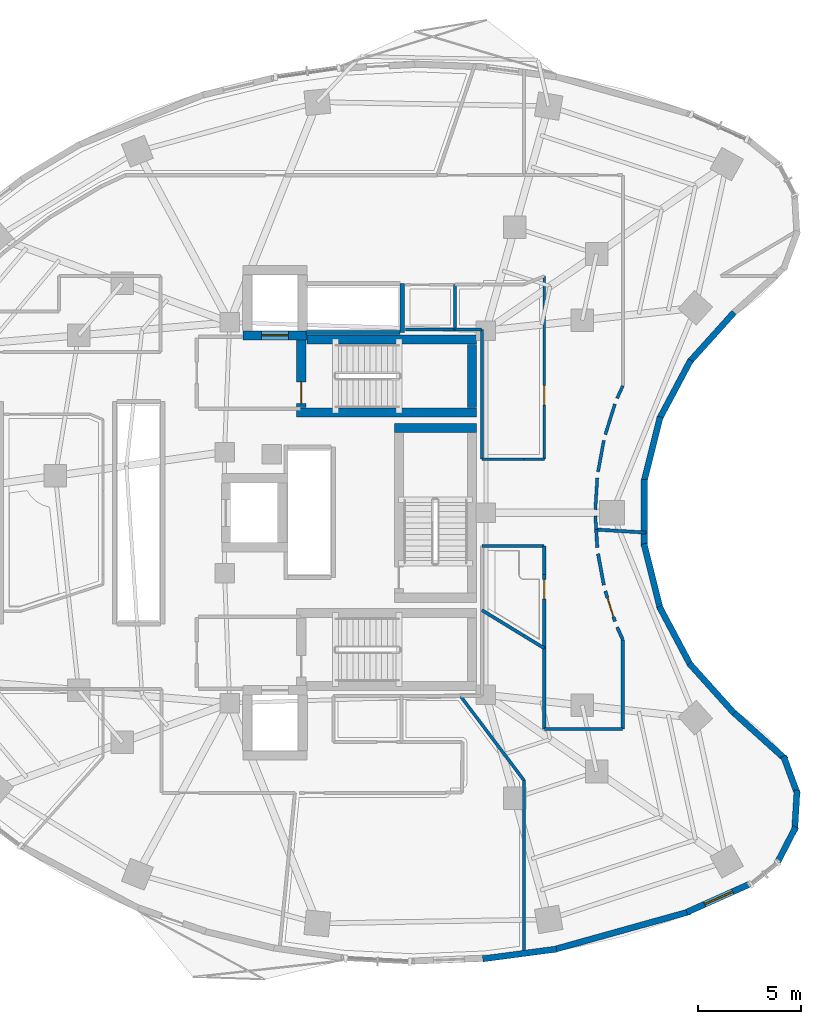
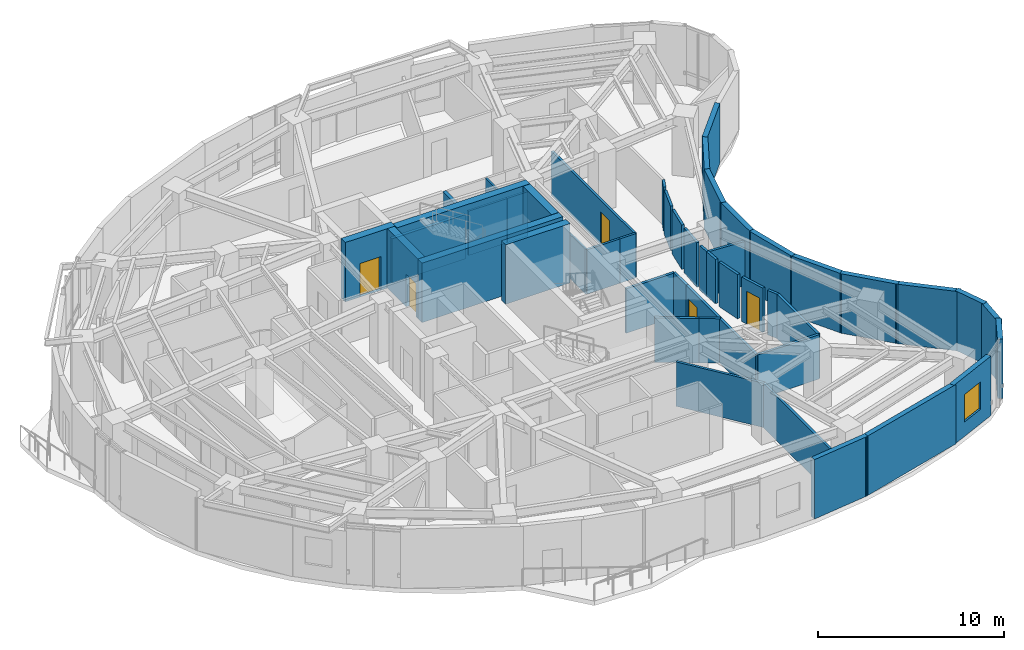
# One storey, part 10 of 15: 49 walls, 5 doors, 1 window, 6 openings.
"""IFC4 building model written with IfcOpenShell, lengths in metres."""

import ifcopenshell
import ifcopenshell.guid

model = None  # the IFC model being written
_history = None  # IfcOwnerHistory: only IFC2X3 demands one
_inside = {}  # id of a spatial element -> (the spatial element, [elements in it])
_under = {}  # id of a project, library or spatial element -> (it, [spatial elements below it])
_declared = {}  # id of a project -> (the project, [libraries it declares])
_typed = {}  # id of a type object -> (the type object, [elements of that type])
_made_of = {}  # id of a material, layer set ... -> (it, [elements and type objects made of it])


def new_model(schema):
    """Start an empty IFC model of exactly this schema.

    Asked for "IFC4X3", IfcOpenShell would pick the latest addendum, in which some entities
    have other attributes; the version numbers below select the first issue.
    IFC2X3 requires an IfcOwnerHistory on every rooted entity: one is made here for all.
    """
    global model, _history
    if schema == "IFC4X3":
        model = ifcopenshell.file(schema_version=(4, 3, 0, 0))
    else:
        model = ifcopenshell.file(schema=schema)
    _inside.clear()
    _under.clear()
    _declared.clear()
    _typed.clear()
    _made_of.clear()
    _history = None
    if model.schema == "IFC2X3":
        org = make("IfcOrganization", Name="unknown")
        user = make(
            "IfcPersonAndOrganization",
            ThePerson=make("IfcPerson", FamilyName="unknown"),
            TheOrganization=org,
        )
        app = make(
            "IfcApplication",
            ApplicationDeveloper=org,
            Version="unknown",
            ApplicationFullName="unknown",
            ApplicationIdentifier="unknown",
        )
        _history = make(
            "IfcOwnerHistory",
            OwningUser=user,
            OwningApplication=app,
            ChangeAction="ADDED",
            CreationDate=0,
        )
    return model


def make(cls, **values):
    """One entity of the class cls with the attributes given. An attribute that is None is left unset."""
    return model.create_entity(
        cls, **{name: value for name, value in values.items() if value is not None}
    )


def rooted(cls, **values):
    """An entity with a GlobalId (a new one), such as an element, a storey or a relation."""
    return make(cls, GlobalId=ifcopenshell.guid.new(), OwnerHistory=_history, **values)


def si_unit(unit_type, name, prefix=None):
    """IfcSIUnit, for example si_unit("LENGTHUNIT", "METRE", prefix="MILLI")."""
    return make("IfcSIUnit", UnitType=unit_type, Prefix=prefix, Name=name)


def assignment(units):
    """IfcUnitAssignment: the units of a project."""
    return None if units is None else make("IfcUnitAssignment", Units=units)


def point(xyz):
    """IfcCartesianPoint."""
    return None if xyz is None else make("IfcCartesianPoint", Coordinates=xyz)


def direction(xyz):
    """IfcDirection."""
    return None if xyz is None else make("IfcDirection", DirectionRatios=xyz)


def frame(location, z_axis=None, x_axis=None):
    """IfcAxis2Placement3D, a coordinate frame: its origin and axes. An axis left out is left unset."""
    return make(
        "IfcAxis2Placement3D",
        Location=point(location),
        Axis=direction(z_axis),
        RefDirection=direction(x_axis),
    )


def frame_2d(location, x_axis=None):
    """IfcAxis2Placement2D, a coordinate frame in the plane: its origin and x axis."""
    return make(
        "IfcAxis2Placement2D", Location=point(location), RefDirection=direction(x_axis)
    )


def origin():
    """The frame at (0, 0, 0) with its axes left unset."""
    return frame((0.0, 0.0, 0.0))


def place(relative_to, where):
    """IfcLocalPlacement: puts the frame where relative to a parent placement (None: the world)."""
    return make(
        "IfcLocalPlacement", PlacementRelTo=relative_to, RelativePlacement=where
    )


def context(
    kind, dimensions, precision=None, world=None, true_north=None, identifier=None
):
    """IfcGeometricRepresentationContext, for example the 3D "Model" context."""
    return make(
        "IfcGeometricRepresentationContext",
        ContextIdentifier=identifier,
        ContextType=kind,
        CoordinateSpaceDimension=dimensions,
        Precision=precision,
        WorldCoordinateSystem=world,
        TrueNorth=true_north,
    )


def subcontext(parent, identifier, kind, view, scale=None):
    """IfcGeometricRepresentationSubContext, for example "Body" below "Model"."""
    return make(
        "IfcGeometricRepresentationSubContext",
        ContextIdentifier=identifier,
        ContextType=kind,
        ParentContext=parent,
        TargetScale=scale,
        TargetView=view,
    )


def project(units=None, contexts=None):
    """IfcProject with its units and contexts."""
    return rooted(
        "IfcProject",
        Name="project",
        RepresentationContexts=contexts,
        UnitsInContext=assignment(units),
    )


def spatial(cls, under=None, at=None, **own):
    """A site, building, storey or space (cls), placed at a placement, below another one or the project."""
    s = rooted(cls, ObjectPlacement=at, **own)
    if under is not None:
        _under.setdefault(under.id(), (under, []))[1].append(s)
    return s


def profile(cls, at=None, kind="AREA", **sizes):
    """A parametric profile (cls). Its sizes go by their IFC names, for example OverallWidth=200.0."""
    return make(cls, ProfileType=kind, Position=at, **sizes)


def rectangle(**sizes):
    """IfcRectangleProfileDef."""
    return profile("IfcRectangleProfileDef", **sizes)


def extrude(swept, where, along, depth):
    """IfcExtrudedAreaSolid: the profile swept, set in the frame where, extruded along a direction by depth."""
    return make(
        "IfcExtrudedAreaSolid",
        SweptArea=swept,
        Position=where,
        ExtrudedDirection=direction(along),
        Depth=depth,
    )


def shape(context_of_items, identifier, shape_type, items):
    """IfcShapeRepresentation: the items that make up one representation, for example the "Body"."""
    return make(
        "IfcShapeRepresentation",
        ContextOfItems=context_of_items,
        RepresentationIdentifier=identifier,
        RepresentationType=shape_type,
        Items=items,
    )


def material(Name=None, Category=None):
    """IfcMaterial."""
    return make("IfcMaterial", Name=Name, Category=Category)


def layer(
    of_material, thickness, ventilated=None, Name=None, Category=None, Priority=None
):
    """IfcMaterialLayer: one layer of a wall or slab, of a material (None: an air gap)."""
    return make(
        "IfcMaterialLayer",
        Material=of_material,
        LayerThickness=thickness,
        IsVentilated=ventilated,
        Name=Name,
        Category=Category,
        Priority=Priority,
    )


def layer_set(layers, Name=None):
    """IfcMaterialLayerSet."""
    return make("IfcMaterialLayerSet", MaterialLayers=layers, LayerSetName=Name)


def made_of(thing, what):
    """Note that an element or type object is made of a material, layer set ...; save() writes the relation."""
    if what is not None:
        _made_of.setdefault(what.id(), (what, []))[1].append(thing)
    return thing


def type_object(cls, material=None, **own):
    """A type object (cls), such as IfcWallType, which elements share."""
    return made_of(rooted(cls, **own), material)


def element(
    cls,
    number,
    at=None,
    inside=None,
    cuts=None,
    type_object=None,
    material=None,
    context=None,
    identifier="Body",
    shape_type=None,
    held_by="IfcProductDefinitionShape",
    body=None,
    shapes=None,
    **own,
):
    """One element of the class cls, such as IfcWall. Its Tag is "e" and its number.

    at: its placement. inside: the storey or other place that contains it. cuts: it is an
    opening in that element (IfcRelVoidsElement). A single representation is given by context,
    identifier, shape_type and body (its items); several are given by shapes. held_by: the class
    of the entity that holds the representations. save() writes the other relations.
    """
    e = rooted(cls, Tag="e%d" % number, ObjectPlacement=at, **own)
    if body is not None:
        shapes = [shape(context, identifier, shape_type, body)]
    if shapes is not None:
        e.Representation = make(held_by, Representations=shapes)
    if inside is not None:
        _inside.setdefault(inside.id(), (inside, []))[1].append(e)
    if cuts is not None:
        rooted(
            "IfcRelVoidsElement", RelatingBuildingElement=cuts, RelatedOpeningElement=e
        )
    if type_object is not None:
        _typed.setdefault(type_object.id(), (type_object, []))[1].append(e)
    return made_of(e, material)


def fill(opening, filler):
    """IfcRelFillsElement: the door or window that sits in an opening."""
    return rooted(
        "IfcRelFillsElement",
        RelatingOpeningElement=opening,
        RelatedBuildingElement=filler,
    )


def aggregate(whole, parts):
    """IfcRelAggregates: a whole, such as a stair, and the parts it consists of."""
    return rooted("IfcRelAggregates", RelatingObject=whole, RelatedObjects=parts)


def save(model, path):
    """Write the relations noted so far, then the file.

    IfcRelAggregates (storeys below a building ...), IfcRelContainedInSpatialStructure (elements
    in a storey), IfcRelDefinesByType, IfcRelAssociatesMaterial and IfcRelDeclares: one each for
    every whole, place, type object, material and project.
    """
    for whole, parts in _under.values():
        aggregate(whole, parts)
    for where, things in _inside.values():
        rooted(
            "IfcRelContainedInSpatialStructure",
            RelatedElements=things,
            RelatingStructure=where,
        )
    for kind, things in _typed.values():
        rooted("IfcRelDefinesByType", RelatedObjects=things, RelatingType=kind)
    for what, things in _made_of.values():
        rooted("IfcRelAssociatesMaterial", RelatedObjects=things, RelatingMaterial=what)
    for by, libraries in _declared.values():
        rooted("IfcRelDeclares", RelatingContext=by, RelatedDefinitions=libraries)
    model.write(path)


model = new_model("IFC4")

# Units and contexts
model_context = context("Model", 3, precision=1e-05, world=origin(), true_north=direction((0.0, 1.0)))
body_context = subcontext(model_context, "Body", "Model", "MODEL_VIEW")
ifc_project = project(units=[si_unit("LENGTHUNIT", "METRE"), si_unit("AREAUNIT", "SQUARE_METRE"), si_unit("VOLUMEUNIT", "CUBIC_METRE"), si_unit("PLANEANGLEUNIT", "RADIAN"), si_unit("MASSUNIT", "GRAM", prefix="KILO")], contexts=[model_context])

# Site, building, storey
site_placement = place(None, origin())
site = spatial("IfcSite", under=ifc_project, at=site_placement, CompositionType="ELEMENT")
building_placement = place(site_placement, origin())
building = spatial("IfcBuilding", under=site, at=building_placement, Name="Korentha Bioscience Tower", CompositionType="ELEMENT")
storey_placement = place(building_placement, frame((0.0, 0.0, 94.199951171875)))
storey = spatial("IfcBuildingStorey", under=building, at=storey_placement, Name="L21", CompositionType="ELEMENT", Elevation=94.199951171875)

# Walls
ifc_material_1 = material(Name="Double-Stud Acoustic Gypsum", Category="gypsum")
ifc_layer_1 = layer(ifc_material_1, 0.14990234375, Name="Double-Stud Acoustic Gypsum")
ifc_layer_set_1 = layer_set([ifc_layer_1], Name="Double-Stud Acoustic Gypsum (IW-L150)")
wall_type_1 = type_object("IfcWallType", Name="Acoustic Laboratory Partition Wall 150", PredefinedType="PARTITIONING", material=ifc_layer_set_1)
wall_1_placement = place(storey_placement, frame((36.3193359375, 18.090087890625, 0.0), z_axis=(0.0, 0.0, 1.0), x_axis=(0.601792892962, -0.798652185861, 0.0)))
element("IfcWall", 1, at=wall_1_placement, inside=storey, type_object=wall_type_1, Name="L21 Interior Partition 037", PredefinedType="PARTITIONING", context=body_context, shape_type="SweptSolid", body=[
    extrude(rectangle(XDim=5.11572265625, YDim=0.14990234375, at=frame_2d((2.557861328125, 0.0))), origin(), (0.0, 0.0, 1.0), 2.91015625),
])
wall_2_placement = place(storey_placement, frame((39.39794921875, 14.00439453125, 0.0), z_axis=(0.0, 0.0, 1.0), x_axis=(0.0, -1.0, 0.0)))
element("IfcWall", 2, at=wall_2_placement, inside=storey, type_object=wall_type_1, Name="L21 Interior Partition 038", PredefinedType="PARTITIONING", context=body_context, shape_type="SweptSolid", body=[
    extrude(rectangle(XDim=8.540283203125, YDim=0.14990234375, at=frame_2d((4.27001953125, 0.0))), origin(), (0.0, 0.0, 1.0), 2.91015625),
])
wall_3_placement = place(storey_placement, frame((42.912841796875, 26.194091796875, 0.0), z_axis=(0.0, 0.0, 1.0), x_axis=(-0.061177910387, 0.998126877346, 0.0)))
element("IfcWall", 3, at=wall_3_placement, inside=storey, type_object=wall_type_1, Name="L21 Interior Partition 056", PredefinedType="PARTITIONING", context=body_context, shape_type="SweptSolid", body=[
    extrude(rectangle(XDim=0.658447265625, YDim=0.14990234375, at=frame_2d((0.3291015625, 0.0))), origin(), (0.0, 0.0, 1.0), 2.91015625),
])
wall_4_placement = place(storey_placement, frame((42.87255859375, 27.148681640625, 0.0), z_axis=(0.0, 0.0, 1.0), x_axis=(0.061103659378, 0.99813142562, 0.0)))
element("IfcWall", 4, at=wall_4_placement, inside=storey, type_object=wall_type_1, Name="L21 Interior Partition 057", PredefinedType="PARTITIONING", context=body_context, shape_type="SweptSolid", body=[
    extrude(rectangle(XDim=1.55029296875, YDim=0.14990234375, at=frame_2d((0.775146484375, 0.0))), origin(), (0.0, 0.0, 1.0), 2.91015625),
])
wall_5_placement = place(storey_placement, frame((43.00341796875, 28.99072265625, 0.0), z_axis=(0.0, 0.0, 1.0), x_axis=(0.182168192784, 0.983267384559, 0.0)))
element("IfcWall", 5, at=wall_5_placement, inside=storey, type_object=wall_type_1, Name="L21 Interior Partition 058", PredefinedType="PARTITIONING", context=body_context, shape_type="SweptSolid", body=[
    extrude(rectangle(XDim=1.550537109375, YDim=0.14990234375, at=frame_2d((0.775390625, 0.0))), origin(), (0.0, 0.0, 1.0), 2.91015625),
])
wall_6_placement = place(storey_placement, frame((43.35791015625, 30.803466796875, 0.0), z_axis=(0.0, 0.0, 1.0), x_axis=(0.300641414783, 0.953737248783, 0.0)))
element("IfcWall", 6, at=wall_6_placement, inside=storey, type_object=wall_type_1, Name="L21 Interior Partition 059", PredefinedType="PARTITIONING", context=body_context, shape_type="SweptSolid", body=[
    extrude(rectangle(XDim=1.55029296875, YDim=0.14990234375, at=frame_2d((0.775146484375, 0.0))), origin(), (0.0, 0.0, 1.0), 2.91015625),
])
wall_7_placement = place(storey_placement, frame((43.930419921875, 32.55908203125, 0.0), z_axis=(0.0, 0.0, 1.0), x_axis=(0.414377467152, 0.910105111905, 0.0)))
element("IfcWall", 7, at=wall_7_placement, inside=storey, type_object=wall_type_1, Name="L21 Interior Partition 060", PredefinedType="PARTITIONING", context=body_context, shape_type="SweptSolid", body=[
    extrude(rectangle(XDim=0.67236328125, YDim=0.14990234375, at=frame_2d((0.336181640625, 0.0))), origin(), (0.0, 0.0, 1.0), 2.91015625),
])

# Wall, opening, door
ifc_material_2 = material(Name="Insulated Aluminium Honeycomb Panel", Category="aluminium")
ifc_layer_2 = layer(ifc_material_2, 0.139892578125, Name="Insulated Aluminium Honeycomb Panel")
ifc_layer_set_2 = layer_set([ifc_layer_2], Name="Insulated Aluminium Honeycomb Panel (IW-F60)")
wall_type_2 = type_object("IfcWallType", Name="Cleanroom Flush Metal Panel Partition 140", PredefinedType="PARTITIONING", material=ifc_layer_set_2)
wall_8_placement = place(storey_placement, frame((40.389892578125, 38.498046875, 0.0), z_axis=(0.0, 0.0, 1.0), x_axis=(0.0, -1.0, 0.0)))
wall_8 = element("IfcWall", 8, at=wall_8_placement, inside=storey, type_object=wall_type_2, Name="L21 Vaccine Formulation Cleanroom 07 Entrance Wall", PredefinedType="PARTITIONING", context=body_context, shape_type="SweptSolid", body=[
    extrude(rectangle(XDim=8.89599609375, YDim=0.139892578125, at=frame_2d((4.447998046875, 0.0))), origin(), (0.0, 0.0, 1.0), 2.91015625),
])
opening_1_placement = place(wall_8_placement, frame((5.3125, 0.0, 0.0)))
opening_1 = element("IfcOpeningElement", 9, at=opening_1_placement, cuts=wall_8, Name="Opening ID-10L", PredefinedType="OPENING", context=body_context, shape_type="SweptSolid", body=[
    extrude(rectangle(XDim=0.949951171875, YDim=2.14990234375, at=frame_2d((0.47509765625, 1.074951171875))), frame((0.0, 0.0849609375, 0.0), z_axis=(0.0, -1.0, 0.0), x_axis=(1.0, 0.0, 0.0)), (0.0, 0.0, 1.0), 0.169677734375),
])
ifc_material_3 = material(Name="Phenolic Laminate Timber Core", Category="wood")
door_type_1 = type_object("IfcDoorType", Name="Laboratory Single Leaf Door 950x2150 Left", OperationType="SINGLE_SWING_LEFT", PredefinedType="DOOR", material=ifc_material_3)
door_1_placement = place(opening_1_placement, origin())
door_1 = element("IfcDoor", 10, at=door_1_placement, inside=storey, type_object=door_type_1, Name="L21 Vaccine Formulation Cleanroom 07 Door", OperationType="SINGLE_SWING_LEFT", OverallHeight=2.14990234375, OverallWidth=0.949951171875, PredefinedType="DOOR", context=body_context, shape_type="SweptSolid", body=[
    extrude(rectangle(XDim=0.949951171875, YDim=2.14990234375, at=frame_2d((0.47509765625, 1.074951171875))), frame((0.0, 0.02490234375, 0.0), z_axis=(0.0, -1.0, 0.0), x_axis=(1.0, 0.0, 0.0)), (0.0, 0.0, 1.0), 0.050048828125),
])
fill(opening_1, door_1)

# Walls
wall_9_placement = place(storey_placement, frame((40.389892578125, 29.60205078125, 0.0), z_axis=(0.0, 0.0, 1.0), x_axis=(-1.0, 0.0, 0.0)))
element("IfcWall", 11, at=wall_9_placement, inside=storey, type_object=wall_type_2, Name="L21 Interior Partition 064", PredefinedType="PARTITIONING", context=body_context, shape_type="SweptSolid", body=[
    extrude(rectangle(XDim=0.98779296875, YDim=0.139892578125, at=frame_2d((0.493896484375, 0.0))), origin(), (0.0, 0.0, 1.0), 2.91015625),
])
wall_10_placement = place(storey_placement, frame((39.39794921875, 29.60205078125, 0.0), z_axis=(0.0, 0.0, 1.0), x_axis=(-1.0, 0.0, 0.0)))
element("IfcWall", 12, at=wall_10_placement, inside=storey, type_object=wall_type_2, Name="L21 Interior Partition 065", PredefinedType="PARTITIONING", context=body_context, shape_type="SweptSolid", body=[
    extrude(rectangle(XDim=2.037841796875, YDim=0.139892578125, at=frame_2d((1.01904296875, 0.0))), origin(), (0.0, 0.0, 1.0), 2.91015625),
])
wall_11_placement = place(storey_placement, frame((37.360107421875, 29.60205078125, 0.0), z_axis=(0.0, 0.0, 1.0), x_axis=(0.0, 1.0, 0.0)))
element("IfcWall", 13, at=wall_11_placement, inside=storey, type_object=wall_type_2, Name="L21 Interior Partition 066", PredefinedType="PARTITIONING", context=body_context, shape_type="SweptSolid", body=[
    extrude(rectangle(XDim=6.2978515625, YDim=0.139892578125, at=frame_2d((3.14892578125, 0.0))), origin(), (0.0, 0.0, 1.0), 2.91015625),
])
wall_12_placement = place(storey_placement, frame((37.35009765625, 35.909912109375, 0.0), z_axis=(0.0, 0.0, 1.0), x_axis=(-1.0, 0.0, 0.0)))
element("IfcWall", 14, at=wall_12_placement, inside=storey, type_object=wall_type_2, Name="L21 Interior Partition 067", PredefinedType="PARTITIONING", context=body_context, shape_type="SweptSolid", body=[
    extrude(rectangle(XDim=1.2900390625, YDim=0.139892578125, at=frame_2d((0.64501953125, 0.0))), origin(), (0.0, 0.0, 1.0), 2.91015625),
])

# Wall, opening, door
ifc_material_4 = material(Name="Gypsum-Clad Steel Stud", Category="steel")
ifc_layer_3 = layer(ifc_material_4, 0.159912109375, Name="Gypsum-Clad Steel Stud")
ifc_layer_set_3 = layer_set([ifc_layer_3], Name="Gypsum-Clad Steel Stud (IW-C160)")
wall_type_3 = type_object("IfcWallType", Name="Fire-Rated Corridor Partition Wall 160", PredefinedType="PARTITIONING", material=ifc_layer_set_3)
wall_13_placement = place(storey_placement, frame((43.823974609375, 21.718017578125, 0.0), z_axis=(0.0, 0.0, 1.0), x_axis=(-0.300641414783, 0.953737248783, 0.0)))
wall_13 = element("IfcWall", 15, at=wall_13_placement, inside=storey, type_object=wall_type_3, Name="L21 Biospecimen Archive Store 04 Entrance Wall", PredefinedType="PARTITIONING", context=body_context, shape_type="SweptSolid", body=[
    extrude(rectangle(XDim=1.55029296875, YDim=0.159912109375, at=frame_2d((0.775146484375, 0.0))), origin(), (0.0, 0.0, 1.0), 2.91015625),
])
opening_2_placement = place(wall_13_placement, frame((0.239990234375, 0.0, 0.0)))
opening_2 = element("IfcOpeningElement", 16, at=opening_2_placement, cuts=wall_13, Name="Opening ID-10R", PredefinedType="OPENING", context=body_context, shape_type="SweptSolid", body=[
    extrude(rectangle(XDim=0.949951171875, YDim=2.14990234375, at=frame_2d((0.47509765625, 1.074951171875))), frame((0.0, 0.0947265625, 0.0), z_axis=(0.0, -1.0, 0.0), x_axis=(1.0, 0.0, 0.0)), (0.0, 0.0, 1.0), 0.189697265625),
])
door_type_2 = type_object("IfcDoorType", Name="Laboratory Single Leaf Door 950x2150 Right", OperationType="SINGLE_SWING_RIGHT", PredefinedType="DOOR", material=ifc_material_3)
door_2_placement = place(opening_2_placement, origin())
door_2 = element("IfcDoor", 17, at=door_2_placement, inside=storey, type_object=door_type_2, Name="L21 Biospecimen Archive Store 04 Door", OperationType="SINGLE_SWING_RIGHT", OverallHeight=2.14990234375, OverallWidth=0.949951171875, PredefinedType="DOOR", context=body_context, shape_type="SweptSolid", body=[
    extrude(rectangle(XDim=0.949951171875, YDim=2.14990234375, at=frame_2d((0.47509765625, 1.074951171875))), frame((0.0, 0.02490234375, 0.0), z_axis=(0.0, -1.0, 0.0), x_axis=(1.0, 0.0, 0.0)), (0.0, 0.0, 1.0), 0.050048828125),
])
fill(opening_2, door_2)

wall_14_placement = place(storey_placement, frame((40.389892578125, 23.998046875, 0.0), z_axis=(0.0, 0.0, 1.0), x_axis=(0.0, -1.0, 0.0)))
wall_14 = element("IfcWall", 18, at=wall_14_placement, inside=storey, type_object=wall_type_3, Name="L21 Reference Archive Vault 05 Entrance Wall", PredefinedType="PARTITIONING", context=body_context, shape_type="SweptSolid", body=[
    extrude(rectangle(XDim=3.5703125, YDim=0.159912109375, at=frame_2d((1.78515625, 0.0))), origin(), (0.0, 0.0, 1.0), 2.91015625),
])
opening_3_placement = place(wall_14_placement, frame((0.239990234375, 0.0, 0.0)))
opening_3 = element("IfcOpeningElement", 19, at=opening_3_placement, cuts=wall_14, Name="Opening ID-10L", PredefinedType="OPENING", context=body_context, shape_type="SweptSolid", body=[
    extrude(rectangle(XDim=0.949951171875, YDim=2.14990234375, at=frame_2d((0.47509765625, 1.074951171875))), frame((0.0, 0.0947265625, 0.0), z_axis=(0.0, -1.0, 0.0), x_axis=(1.0, 0.0, 0.0)), (0.0, 0.0, 1.0), 0.189697265625),
])
door_3_placement = place(opening_3_placement, origin())
door_3 = element("IfcDoor", 20, at=door_3_placement, inside=storey, type_object=door_type_1, Name="L21 Reference Archive Vault 05 Door", OperationType="SINGLE_SWING_LEFT", OverallHeight=2.14990234375, OverallWidth=0.949951171875, PredefinedType="DOOR", context=body_context, shape_type="SweptSolid", body=[
    extrude(rectangle(XDim=0.949951171875, YDim=2.14990234375, at=frame_2d((0.47509765625, 1.074951171875))), frame((0.0, 0.02490234375, 0.0), z_axis=(0.0, -1.0, 0.0), x_axis=(1.0, 0.0, 0.0)), (0.0, 0.0, 1.0), 0.050048828125),
])
fill(opening_3, door_3)

# Walls
wall_15_placement = place(storey_placement, frame((39.402099609375, 21.01904296875, 0.0), z_axis=(0.0, 0.0, 1.0), x_axis=(0.853521615148, -0.52105743683, 0.0)))
element("IfcWall", 21, at=wall_15_placement, inside=storey, type_object=wall_type_3, Name="L21 Interior Partition 039", PredefinedType="PARTITIONING", context=body_context, shape_type="SweptSolid", body=[
    extrude(rectangle(XDim=1.1572265625, YDim=0.159912109375, at=frame_2d((0.57861328125, 0.0))), origin(), (0.0, 0.0, 1.0), 2.91015625),
])
wall_16_placement = place(storey_placement, frame((40.389892578125, 20.416015625, 0.0), z_axis=(0.0, 0.0, 1.0), x_axis=(0.0, -1.0, 0.0)))
element("IfcWall", 22, at=wall_16_placement, inside=storey, type_object=wall_type_3, Name="L21 Interior Partition 040", PredefinedType="PARTITIONING", context=body_context, shape_type="SweptSolid", body=[
    extrude(rectangle(XDim=3.916015625, YDim=0.159912109375, at=frame_2d((1.9580078125, 0.0))), origin(), (0.0, 0.0, 1.0), 2.91015625),
])
wall_17_placement = place(storey_placement, frame((40.39990234375, 16.489990234375, 0.0), z_axis=(0.0, 0.0, 1.0), x_axis=(1.0, 0.0, 0.0)))
element("IfcWall", 23, at=wall_17_placement, inside=storey, type_object=wall_type_3, Name="L21 Interior Partition 041", PredefinedType="PARTITIONING", context=body_context, shape_type="SweptSolid", body=[
    extrude(rectangle(XDim=3.800048828125, YDim=0.159912109375, at=frame_2d((1.89990234375, 0.0))), origin(), (0.0, 0.0, 1.0), 2.91015625),
])
wall_18_placement = place(storey_placement, frame((44.2099609375, 16.5, 0.0), z_axis=(0.0, 0.0, 1.0), x_axis=(0.0, 1.0, 0.0)))
element("IfcWall", 24, at=wall_18_placement, inside=storey, type_object=wall_type_3, Name="L21 Interior Partition 042", PredefinedType="PARTITIONING", context=body_context, shape_type="SweptSolid", body=[
    extrude(rectangle(XDim=4.324951171875, YDim=0.159912109375, at=frame_2d((2.16259765625, 0.0))), origin(), (0.0, 0.0, 1.0), 2.91015625),
])
wall_19_placement = place(storey_placement, frame((44.208984375, 20.8291015625, 0.0), z_axis=(0.0, 0.0, 1.0), x_axis=(-0.414377467152, 0.910105111905, 0.0)))
element("IfcWall", 25, at=wall_19_placement, inside=storey, type_object=wall_type_3, Name="L21 Interior Partition 043", PredefinedType="PARTITIONING", context=body_context, shape_type="SweptSolid", body=[
    extrude(rectangle(XDim=0.67236328125, YDim=0.159912109375, at=frame_2d((0.336181640625, 0.0))), origin(), (0.0, 0.0, 1.0), 2.91015625),
])
wall_20_placement = place(storey_placement, frame((43.285888671875, 23.484619140625, 0.0), z_axis=(0.0, 0.0, 1.0), x_axis=(-0.182168192784, 0.983267384559, 0.0)))
element("IfcWall", 26, at=wall_20_placement, inside=storey, type_object=wall_type_3, Name="L21 Interior Partition 044", PredefinedType="PARTITIONING", context=body_context, shape_type="SweptSolid", body=[
    extrude(rectangle(XDim=1.550537109375, YDim=0.159912109375, at=frame_2d((0.775390625, 0.0))), origin(), (0.0, 0.0, 1.0), 2.91015625),
])
wall_21_placement = place(storey_placement, frame((42.96728515625, 25.303955078125, 0.0), z_axis=(0.0, 0.0, 1.0), x_axis=(-0.061188874166, 0.998126205286, 0.0)))
element("IfcWall", 27, at=wall_21_placement, inside=storey, type_object=wall_type_3, Name="L21 Interior Partition 045", PredefinedType="PARTITIONING", context=body_context, shape_type="SweptSolid", body=[
    extrude(rectangle(XDim=0.8818359375, YDim=0.159912109375, at=frame_2d((0.44091796875, 0.0))), origin(), (0.0, 0.0, 1.0), 2.91015625),
])
wall_22_placement = place(storey_placement, frame((42.913330078125, 26.18408203125, 0.0), z_axis=(0.0, 0.0, 1.0), x_axis=(0.998138916893, -0.060981165807, 0.0)))
element("IfcWall", 28, at=wall_22_placement, inside=storey, type_object=wall_type_3, Name="L21 Interior Partition 046", PredefinedType="PARTITIONING", context=body_context, shape_type="SweptSolid", body=[
    extrude(rectangle(XDim=2.426025390625, YDim=0.159912109375, at=frame_2d((1.212890625, 0.0))), origin(), (0.0, 0.0, 1.0), 2.91015625),
])
wall_23_placement = place(storey_placement, frame((37.360107421875, 22.265625, 0.0), z_axis=(0.0, 0.0, 1.0), x_axis=(0.85352442543, -0.521052833401, 0.0)))
element("IfcWall", 29, at=wall_23_placement, inside=storey, type_object=wall_type_3, Name="L21 Interior Partition 049", PredefinedType="PARTITIONING", context=body_context, shape_type="SweptSolid", body=[
    extrude(rectangle(XDim=2.38720703125, YDim=0.159912109375, at=frame_2d((1.193603515625, 0.0))), origin(), (0.0, 0.0, 1.0), 2.91015625),
])
wall_24_placement = place(storey_placement, frame((37.360107421875, 25.389892578125, 0.0), z_axis=(0.0, 0.0, 1.0), x_axis=(1.0, 0.0, 0.0)))
element("IfcWall", 30, at=wall_24_placement, inside=storey, type_object=wall_type_3, Name="L21 Interior Partition 052", PredefinedType="PARTITIONING", context=body_context, shape_type="SweptSolid", body=[
    extrude(rectangle(XDim=3.02587890625, YDim=0.159912109375, at=frame_2d((1.512939453125, 0.0))), origin(), (0.0, 0.0, 1.0), 2.91015625),
])
wall_25_placement = place(storey_placement, frame((40.385986328125, 25.389892578125, 0.0), z_axis=(0.0, 0.0, 1.0), x_axis=(0.0, -1.0, 0.0)))
element("IfcWall", 31, at=wall_25_placement, inside=storey, type_object=wall_type_3, Name="L21 Interior Partition 053", PredefinedType="PARTITIONING", context=body_context, shape_type="SweptSolid", body=[
    extrude(rectangle(XDim=1.3876953125, YDim=0.159912109375, at=frame_2d((0.69384765625, 0.0))), origin(), (0.0, 0.0, 1.0), 2.91015625),
])

# Wall, opening, window
ifc_material_5 = material(Name="Honed Limestone Precast Concrete C40", Category="masonry")
ifc_layer_4 = layer(ifc_material_5, 0.300048828125, Name="Honed Limestone Precast Concrete C40")
ifc_layer_set_4 = layer_set([ifc_layer_4], Name="Honed Limestone Precast Concrete C40 (EW-ST300)")
wall_type_4 = type_object("IfcWallType", Name="Honed Limestone Cavity Spandrel Wall 300", PredefinedType="STANDARD", material=ifc_layer_set_4)
wall_26_placement = place(storey_placement, frame((47.3193359375, 7.5849609375, 0.0), z_axis=(0.0, 0.0, 1.0), x_axis=(0.912680179498, 0.40867455261, 0.0)))
wall_26 = element("IfcWall", 32, at=wall_26_placement, inside=storey, type_object=wall_type_4, Name="L21 Honed Limestone Spandrel Wall 36", PredefinedType="STANDARD", context=body_context, shape_type="SweptSolid", body=[
    extrude(rectangle(XDim=3.40087890625, YDim=0.300048828125, at=frame_2d((1.700439453125, 0.0))), origin(), (0.0, 0.0, 1.0), 3.900146484375),
])
opening_4_placement = place(wall_26_placement, frame((0.950439453125, 0.0, 0.949951171875)))
opening_4 = element("IfcOpeningElement", 33, at=opening_4_placement, cuts=wall_26, Name="Opening WN-02", PredefinedType="OPENING", context=body_context, shape_type="SweptSolid", body=[
    extrude(rectangle(XDim=1.5, YDim=1.800048828125, at=frame_2d((0.75, 0.89990234375))), frame((0.0, 0.1650390625, 0.0), z_axis=(0.0, -1.0, 0.0), x_axis=(1.0, 0.0, 0.0)), (0.0, 0.0, 1.0), 0.329833984375),
])
ifc_material_6 = material(Name="Thermally Broken Aluminium Triple Glazing", Category="aluminium")
window_type = type_object("IfcWindowType", Name="Acoustic Operable Office Window 1500x1800", PartitioningType="DOUBLE_PANEL_VERTICAL", PredefinedType="WINDOW", material=ifc_material_6)
window_placement = place(opening_4_placement, origin())
window = element("IfcWindow", 34, at=window_placement, inside=storey, type_object=window_type, Name="L21 Facade Window 36", OverallHeight=1.800048828125, OverallWidth=1.5, PartitioningType="DOUBLE_PANEL_VERTICAL", PredefinedType="WINDOW", context=body_context, shape_type="SweptSolid", body=[
    extrude(rectangle(XDim=1.5, YDim=1.800048828125, at=frame_2d((0.75, 0.89990234375))), frame((0.0, 0.030029296875, 0.0), z_axis=(0.0, -1.0, 0.0), x_axis=(1.0, 0.0, 0.0)), (0.0, 0.0, 1.0), 0.06005859375),
])
fill(opening_4, window)

# Walls
wall_27_placement = place(storey_placement, frame((37.40234375, 5.319091796875, 0.0), z_axis=(0.0, 0.0, 1.0), x_axis=(0.991372969521, 0.131071107816, 0.0)))
element("IfcWall", 35, at=wall_27_placement, inside=storey, type_object=wall_type_4, Name="L21 Limestone Perimeter Closure Wall 33", PredefinedType="STANDARD", context=body_context, shape_type="SweptSolid", body=[
    extrude(rectangle(XDim=3.615478515625, YDim=0.300048828125, at=frame_2d((1.8076171875, 0.0))), origin(), (0.0, 0.0, 1.0), 3.900146484375),
])
wall_28_placement = place(storey_placement, frame((40.810791015625, 5.7568359375, 0.0), z_axis=(0.0, 0.0, 1.0), x_axis=(0.963116215402, 0.269085777459, 0.0)))
element("IfcWall", 36, at=wall_28_placement, inside=storey, type_object=wall_type_4, Name="L21 Limestone Perimeter Closure Wall 34", PredefinedType="STANDARD", context=body_context, shape_type="SweptSolid", body=[
    extrude(rectangle(XDim=6.923583984375, YDim=0.300048828125, at=frame_2d((3.4619140625, 0.0))), origin(), (0.0, 0.0, 1.0), 3.900146484375),
])
for number, where, z_axis, x_axis, name in (
    (37, (51.701171875, 9.953125, 0.0), (0.0, 0.0, 1.0), (0.457596540329, 0.889159944149, 0.0), "L21 Limestone Perimeter Closure Wall 38"),
    (38, (52.55859375, 11.522705078125, 0.0), (0.0, 0.0, 1.0), (0.060255200356, 0.998183004679, 0.0), "L21 Limestone Perimeter Closure Wall 39"),
):
    element("IfcWall", number, at=place(storey_placement, frame(where, z_axis=z_axis, x_axis=x_axis)), inside=storey, type_object=wall_type_4, Name=name, PredefinedType="STANDARD", context=body_context, shape_type="SweptSolid", body=[
        extrude(rectangle(XDim=1.99755859375, YDim=0.300048828125, at=frame_2d((0.998779296875, 0.0))), origin(), (0.0, 0.0, 1.0), 3.900146484375),
    ])
wall_29_placement = place(storey_placement, frame((52.710205078125, 13.3046875, 0.0), z_axis=(0.0, 0.0, 1.0), x_axis=(-0.347370087337, 0.937728117539, 0.0)))
element("IfcWall", 39, at=wall_29_placement, inside=storey, type_object=wall_type_4, Name="L21 Limestone Perimeter Closure Wall 40", PredefinedType="STANDARD", context=body_context, shape_type="SweptSolid", body=[
    extrude(rectangle(XDim=1.997314453125, YDim=0.300048828125, at=frame_2d((0.99853515625, 0.0))), origin(), (0.0, 0.0, 1.0), 3.900146484375),
])
wall_30_placement = place(storey_placement, frame((52.14111328125, 14.993896484375, 0.0), z_axis=(0.0, 0.0, 1.0), x_axis=(-0.74255963233, 0.669779958221, 0.0)))
element("IfcWall", 40, at=wall_30_placement, inside=storey, type_object=wall_type_4, Name="L21 Limestone Perimeter Closure Wall 41", PredefinedType="STANDARD", context=body_context, shape_type="SweptSolid", body=[
    extrude(rectangle(XDim=3.5390625, YDim=0.300048828125, at=frame_2d((1.76953125, 0.0))), origin(), (0.0, 0.0, 1.0), 3.900146484375),
])
wall_31_placement = place(storey_placement, frame((49.61572265625, 17.26171875, 0.0), z_axis=(0.0, 0.0, 1.0), x_axis=(-0.669167727967, 0.743111399353, 0.0)))
element("IfcWall", 41, at=wall_31_placement, inside=storey, type_object=wall_type_4, Name="L21 Limestone Perimeter Closure Wall 43", PredefinedType="STANDARD", context=body_context, shape_type="SweptSolid", body=[
    extrude(rectangle(XDim=3.25537109375, YDim=0.300048828125, at=frame_2d((1.627685546875, 0.0))), origin(), (0.0, 0.0, 1.0), 3.900146484375),
])
wall_32_placement = place(storey_placement, frame((47.5087890625, 19.578857421875, 0.0), z_axis=(0.0, 0.0, 1.0), x_axis=(-0.469451284634, 0.882958374645, 0.0)))
element("IfcWall", 42, at=wall_32_placement, inside=storey, type_object=wall_type_4, Name="L21 Limestone Perimeter Closure Wall 45", PredefinedType="STANDARD", context=body_context, shape_type="SweptSolid", body=[
    extrude(rectangle(XDim=3.255615234375, YDim=0.300048828125, at=frame_2d((1.6279296875, 0.0))), origin(), (0.0, 0.0, 1.0), 3.900146484375),
])
wall_33_placement = place(storey_placement, frame((46.025146484375, 22.3369140625, 0.0), z_axis=(0.0, 0.0, 1.0), x_axis=(-0.241900409149, 0.970301083197, 0.0)))
element("IfcWall", 43, at=wall_33_placement, inside=storey, type_object=wall_type_4, Name="L21 Limestone Perimeter Closure Wall 47", PredefinedType="STANDARD", context=body_context, shape_type="SweptSolid", body=[
    extrude(rectangle(XDim=3.255859375, YDim=0.300048828125, at=frame_2d((1.6279296875, 0.0))), origin(), (0.0, 0.0, 1.0), 3.900146484375),
])
wall_34_placement = place(storey_placement, frame((45.252685546875, 25.372314453125, 0.0), z_axis=(0.0, 0.0, 1.0), x_axis=(0.0, 1.0, 0.0)))
element("IfcWall", 44, at=wall_34_placement, inside=storey, type_object=wall_type_4, Name="L21 Limestone Perimeter Closure Wall 49", PredefinedType="STANDARD", context=body_context, shape_type="SweptSolid", body=[
    extrude(rectangle(XDim=3.25537109375, YDim=0.300048828125, at=frame_2d((1.627685546875, 0.0))), origin(), (0.0, 0.0, 1.0), 3.900146484375),
])
wall_35_placement = place(storey_placement, frame((45.237548828125, 28.50390625, 0.0), z_axis=(0.0, 0.0, 1.0), x_axis=(0.241900409149, 0.970301083197, 0.0)))
element("IfcWall", 45, at=wall_35_placement, inside=storey, type_object=wall_type_4, Name="L21 Limestone Perimeter Closure Wall 51", PredefinedType="STANDARD", context=body_context, shape_type="SweptSolid", body=[
    extrude(rectangle(XDim=3.255859375, YDim=0.300048828125, at=frame_2d((1.6279296875, 0.0))), origin(), (0.0, 0.0, 1.0), 3.900146484375),
])
wall_36_placement = place(storey_placement, frame((45.98046875, 31.546630859375, 0.0), z_axis=(0.0, 0.0, 1.0), x_axis=(0.469451284634, 0.882958374645, 0.0)))
element("IfcWall", 46, at=wall_36_placement, inside=storey, type_object=wall_type_4, Name="L21 Limestone Perimeter Closure Wall 53", PredefinedType="STANDARD", context=body_context, shape_type="SweptSolid", body=[
    extrude(rectangle(XDim=3.255615234375, YDim=0.300048828125, at=frame_2d((1.6279296875, 0.0))), origin(), (0.0, 0.0, 1.0), 3.900146484375),
])
wall_37_placement = place(storey_placement, frame((47.437255859375, 34.319091796875, 0.0), z_axis=(0.0, 0.0, 1.0), x_axis=(0.669167727967, 0.743111399353, 0.0)))
element("IfcWall", 47, at=wall_37_placement, inside=storey, type_object=wall_type_4, Name="L21 Limestone Perimeter Closure Wall 55", PredefinedType="STANDARD", context=body_context, shape_type="SweptSolid", body=[
    extrude(rectangle(XDim=3.25537109375, YDim=0.300048828125, at=frame_2d((1.627685546875, 0.0))), origin(), (0.0, 0.0, 1.0), 3.900146484375),
])
ifc_material_7 = material(Name="Autoclaved Aerated Concrete Block C25", Category="concrete")
ifc_layer_5 = layer(ifc_material_7, 0.199951171875, Name="Autoclaved Aerated Concrete Block C25")
ifc_layer_set_5 = layer_set([ifc_layer_5], Name="Autoclaved Aerated Concrete Block C25 (IW-S200)")
wall_type_5 = type_object("IfcWallType", Name="Lift and Riser Shaft Enclosure Wall 200", PredefinedType="PARTITIONING", material=ifc_layer_set_5)
wall_38_placement = place(storey_placement, frame((33.489990234375, 35.760009765625, 0.0), z_axis=(0.0, 0.0, 1.0), x_axis=(0.0, 1.0, 0.0)))
element("IfcWall", 48, at=wall_38_placement, inside=storey, type_object=wall_type_5, Name="L21 Lift Bank OBS Shaft Wall +X", PredefinedType="PARTITIONING", context=body_context, shape_type="SweptSolid", body=[
    extrude(rectangle(XDim=2.3798828125, YDim=0.199951171875, at=frame_2d((1.18994140625, 0.0))), origin(), (0.0, 0.0, 1.0), 2.91015625),
])
wall_39_placement = place(storey_placement, frame((28.800048828125, 35.760009765625, 0.0), z_axis=(0.0, 0.0, 1.0), x_axis=(1.0, 0.0, 0.0)))
element("IfcWall", 49, at=wall_39_placement, inside=storey, type_object=wall_type_5, Name="L21 Lift Bank OBS Shaft Wall -Y", PredefinedType="PARTITIONING", context=body_context, shape_type="SweptSolid", body=[
    extrude(rectangle(XDim=4.570068359375, YDim=0.199951171875, at=frame_2d((2.28515625, 0.0))), origin(), (0.0, 0.0, 1.0), 2.91015625),
])
ifc_material_8 = material(Name="Concrete C80", Category="concrete")
ifc_layer_6 = layer(ifc_material_8, 0.449951171875, Name="Concrete C80")
ifc_layer_set_6 = layer_set([ifc_layer_6], Name="Concrete C80 (CW-C80)")
wall_type_6 = type_object("IfcWallType", Name="Lower Core Shear Wall 450", PredefinedType="SHEAR", material=ifc_layer_set_6)
wall_40_placement = place(storey_placement, frame((28.85205078125, 35.425048828125, 0.0), z_axis=(0.0, 0.0, 1.0), x_axis=(1.0, 0.0, 0.0)))
element("IfcWall", 50, at=wall_40_placement, inside=storey, type_object=wall_type_6, Name="L21 Core Shear Wall ST1-N", PredefinedType="SHEAR", context=body_context, shape_type="SweptSolid", body=[
    extrude(rectangle(XDim=8.248046875, YDim=0.449951171875, at=frame_2d((4.1240234375, 0.0))), origin(), (0.0, 0.0, 1.0), 3.900146484375),
])
wall_41_placement = place(storey_placement, frame((28.35009765625, 31.875, 0.0), z_axis=(0.0, 0.0, 1.0), x_axis=(1.0, 0.0, 0.0)))
element("IfcWall", 51, at=wall_41_placement, inside=storey, type_object=wall_type_6, Name="L21 Core Shear Wall ST1-S", PredefinedType="SHEAR", context=body_context, shape_type="SweptSolid", body=[
    extrude(rectangle(XDim=8.75, YDim=0.449951171875, at=frame_2d((4.375, 0.0))), origin(), (0.0, 0.0, 1.0), 3.900146484375),
])
wall_42_placement = place(storey_placement, frame((36.875, 32.110107421875, 0.0), z_axis=(0.0, 0.0, 1.0), x_axis=(0.0, 1.0, 0.0)))
element("IfcWall", 52, at=wall_42_placement, inside=storey, type_object=wall_type_6, Name="L21 Core Shear Wall ST1-E", PredefinedType="SHEAR", context=body_context, shape_type="SweptSolid", body=[
    extrude(rectangle(XDim=3.079833984375, YDim=0.449951171875, at=frame_2d((1.5400390625, 0.0))), origin(), (0.0, 0.0, 1.0), 3.900146484375),
])

# Wall, opening, door
wall_43_placement = place(storey_placement, frame((28.574951171875, 32.110107421875, 0.0), z_axis=(0.0, 0.0, 1.0), x_axis=(0.0, 1.0, 0.0)))
wall_43 = element("IfcWall", 53, at=wall_43_placement, inside=storey, type_object=wall_type_6, Name="L21 Core Shear Wall ST1-W", PredefinedType="SHEAR", context=body_context, shape_type="SweptSolid", body=[
    extrude(rectangle(XDim=3.282958984375, YDim=0.449951171875, at=frame_2d((1.6416015625, 0.0))), origin(), (0.0, 0.0, 1.0), 3.900146484375),
])
opening_5_placement = place(wall_43_placement, frame((0.199951171875, 0.0, 0.0)))
opening_5 = element("IfcOpeningElement", 54, at=opening_5_placement, cuts=wall_43, Name="Opening FD-90L", PredefinedType="OPENING", context=body_context, shape_type="SweptSolid", body=[
    extrude(rectangle(XDim=1.050048828125, YDim=2.14990234375, at=frame_2d((0.52490234375, 1.074951171875))), frame((0.0, 0.23974609375, 0.0), z_axis=(0.0, -1.0, 0.0), x_axis=(1.0, 0.0, 0.0)), (0.0, 0.0, 1.0), 0.479736328125),
])
ifc_material_9 = material(Name="Powder-Coated Fire-Rated Steel", Category="steel")
door_type_3 = type_object("IfcDoorType", Name="Stairwell Fire Exit Door 1050x2150 Left", OperationType="SINGLE_SWING_LEFT", PredefinedType="DOOR", material=ifc_material_9)
door_4_placement = place(opening_5_placement, origin())
door_4 = element("IfcDoor", 55, at=door_4_placement, inside=storey, type_object=door_type_3, Name="L21 ST-1 Fire Exit Stair Door", OperationType="SINGLE_SWING_LEFT", OverallHeight=2.14990234375, OverallWidth=1.050048828125, PredefinedType="DOOR", context=body_context, shape_type="SweptSolid", body=[
    extrude(rectangle(XDim=1.050048828125, YDim=2.14990234375, at=frame_2d((0.52490234375, 1.074951171875))), frame((0.0, 0.02490234375, 0.0), z_axis=(0.0, -1.0, 0.0), x_axis=(1.0, 0.0, 0.0)), (0.0, 0.0, 1.0), 0.050048828125),
])
fill(opening_5, door_4)

# Wall
wall_44_placement = place(storey_placement, frame((33.10009765625, 31.125, 0.0), z_axis=(0.0, 0.0, 1.0), x_axis=(1.0, 0.0, 0.0)))
element("IfcWall", 56, at=wall_44_placement, inside=storey, type_object=wall_type_6, Name="L21 Core Shear Wall ST3-N", PredefinedType="SHEAR", context=body_context, shape_type="SweptSolid", body=[
    extrude(rectangle(XDim=4.0, YDim=0.449951171875, at=frame_2d((2.0, 0.0))), origin(), (0.0, 0.0, 1.0), 3.900146484375),
])

# Wall, opening, door
wall_45_placement = place(storey_placement, frame((25.75, 35.6201171875, 0.0), z_axis=(0.0, 0.0, 1.0), x_axis=(1.0, 0.0, 0.0)))
wall_45 = element("IfcWall", 57, at=wall_45_placement, inside=storey, type_object=wall_type_6, Name="L21 Core Shear Wall FFL2-S", PredefinedType="SHEAR", context=body_context, shape_type="SweptSolid", body=[
    extrude(rectangle(XDim=3.10009765625, YDim=0.449951171875, at=frame_2d((1.550048828125, 0.0))), origin(), (0.0, 0.0, 1.0), 3.900146484375),
])
opening_6_placement = place(wall_45_placement, frame((0.89990234375, 0.0, 0.0)))
opening_6 = element("IfcOpeningElement", 58, at=opening_6_placement, cuts=wall_45, Name="Opening LD-13", PredefinedType="OPENING", context=body_context, shape_type="SweptSolid", body=[
    extrude(rectangle(XDim=1.300048828125, YDim=2.199951171875, at=frame_2d((0.64990234375, 1.10009765625))), frame((0.0, 0.23974609375, 0.0), z_axis=(0.0, -1.0, 0.0), x_axis=(1.0, 0.0, 0.0)), (0.0, 0.0, 1.0), 0.479736328125),
])
ifc_material_10 = material(Name="Brushed Stainless Steel 316", Category="steel")
door_type_4 = type_object("IfcDoorType", Name="Service & Firefighting Lift Landing Door 1300x2300", OperationType="DOUBLE_DOOR_SLIDING", PredefinedType="DOOR", material=ifc_material_10)
door_5_placement = place(opening_6_placement, origin())
door_5 = element("IfcDoor", 59, at=door_5_placement, inside=storey, type_object=door_type_4, Name="L21 FFL-2 Sliding Lift Landing Door", OperationType="DOUBLE_DOOR_SLIDING", OverallHeight=2.199951171875, OverallWidth=1.300048828125, PredefinedType="DOOR", context=body_context, shape_type="SweptSolid", body=[
    extrude(rectangle(XDim=1.300048828125, YDim=2.199951171875, at=frame_2d((0.64990234375, 1.10009765625))), frame((0.0, 0.02490234375, 0.0), z_axis=(0.0, -1.0, 0.0), x_axis=(1.0, 0.0, 0.0)), (0.0, 0.0, 1.0), 0.050048828125),
])
fill(opening_6, door_5)

# Walls
ifc_material_11 = material(Name="Cement-Board Steel Stud", Category="steel")
ifc_layer_7 = layer(ifc_material_11, 0.1298828125, Name="Cement-Board Steel Stud")
ifc_layer_set_7 = layer_set([ifc_layer_7], Name="Cement-Board Steel Stud (IW-W130)")
wall_type_7 = type_object("IfcWallType", Name="Wet-Area Moisture-Resistant Partition 130", PredefinedType="PARTITIONING", material=ifc_layer_set_7)
wall_46_placement = place(storey_placement, frame((36.050048828125, 35.909912109375, 0.0), z_axis=(0.0, 0.0, 1.0), x_axis=(-1.0, 0.0, 0.0)))
element("IfcWall", 60, at=wall_46_placement, inside=storey, type_object=wall_type_7, Name="L21 Interior Partition 017", PredefinedType="PARTITIONING", context=body_context, shape_type="SweptSolid", body=[
    extrude(rectangle(XDim=2.400146484375, YDim=0.1298828125, at=frame_2d((1.2001953125, 0.0))), origin(), (0.0, 0.0, 1.0), 2.91015625),
])
wall_47_placement = place(storey_placement, frame((36.050048828125, 38.090087890625, 0.0), z_axis=(0.0, 0.0, 1.0), x_axis=(0.0, -1.0, 0.0)))
element("IfcWall", 61, at=wall_47_placement, inside=storey, type_object=wall_type_7, Name="L21 Interior Partition 018", PredefinedType="PARTITIONING", context=body_context, shape_type="SweptSolid", body=[
    extrude(rectangle(XDim=2.18017578125, YDim=0.1298828125, at=frame_2d((1.090087890625, 0.0))), origin(), (0.0, 0.0, 1.0), 2.91015625),
])

save(model, "model.ifc")
